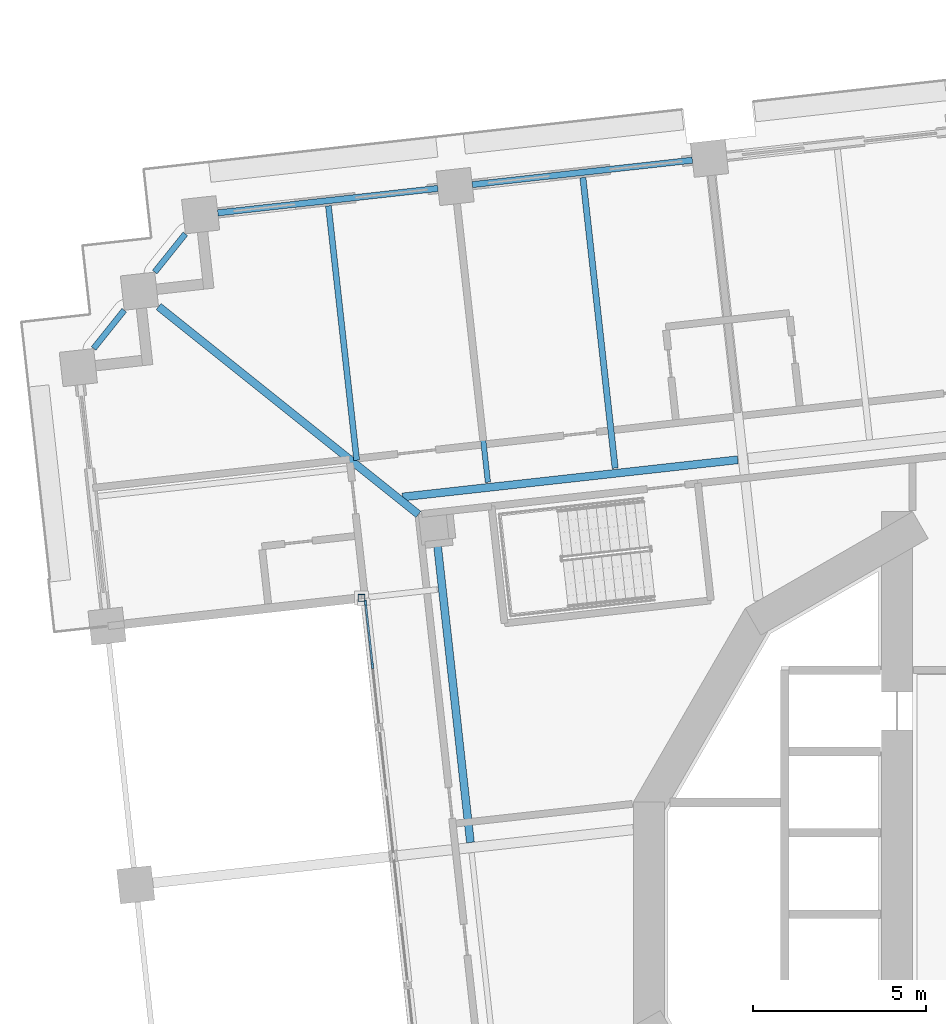
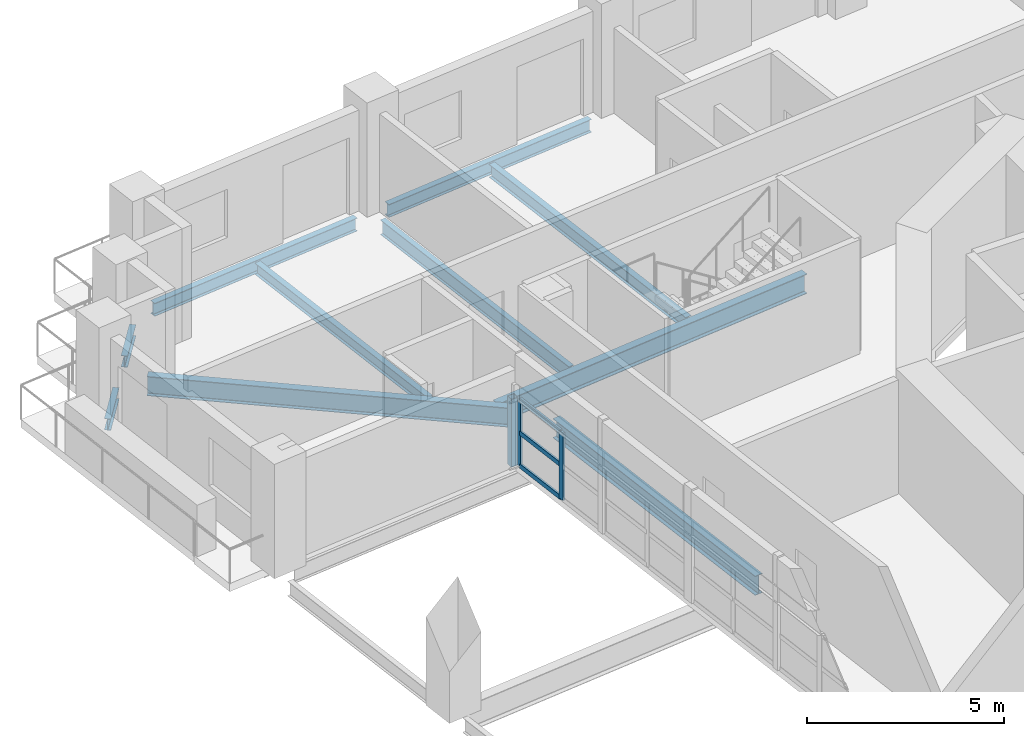
# One storey, part 4 of 21: 10 beams, 6 members, 1 element without a shape of its own.
"""IFC4 building model written with IfcOpenShell, lengths in metres."""

from ifc_helpers import new_model, si_unit, direction, frame, origin, origin_2d, place, context, subcontext, project, spatial, rectangle, hollow_rectangle, i_section, extrude, material, material_profile, profile_set, type_object, element, aggregate, save


model = new_model("IFC4")

# Units and contexts
model_context = context("Model", 3, precision=1e-05, world=origin(), true_north=direction((0.0, 1.0)))
body_context = subcontext(model_context, "Body", "Model", "MODEL_VIEW")
ifc_project = project(units=[si_unit("LENGTHUNIT", "METRE"), si_unit("AREAUNIT", "SQUARE_METRE"), si_unit("VOLUMEUNIT", "CUBIC_METRE"), si_unit("PLANEANGLEUNIT", "RADIAN"), si_unit("MASSUNIT", "GRAM", prefix="KILO")], contexts=[model_context])

# Site, building, storey
site_placement = place(None, origin())
site = spatial("IfcSite", under=ifc_project, at=site_placement, CompositionType="ELEMENT")
building_placement = place(site_placement, origin())
building = spatial("IfcBuilding", under=site, at=building_placement, Name="Cantera Rosa Tower", CompositionType="ELEMENT")
storey_placement = place(building_placement, frame((0.0, 0.0, 72.89990234375)))
storey = spatial("IfcBuildingStorey", under=building, at=storey_placement, Name="L15", CompositionType="ELEMENT", Elevation=72.89990234375)

# Curtain wall, members
ifc_material_1 = material(Name="Aluminium frame with clear glass", Category="aluminium")
curtain_wall_type = type_object("IfcCurtainWallType", Name="CW1 TERRACE POCKET GLAZING", PredefinedType="NOTDEFINED", material=ifc_material_1)
curtain_wall_placement = place(storey_placement, origin())
curtain_wall = element("IfcCurtainWall", 1, at=curtain_wall_placement, inside=storey, type_object=curtain_wall_type, Name="CW1 CW1", PredefinedType="NOTDEFINED")
ifc_material_2 = material(Name="Anodised bronze aluminium", Category="aluminium")
ifc_material_profile_1 = material_profile(ifc_material_2, rectangle(XDim=0.06005859375, YDim=0.179931640625, at=origin_2d()), Name="CW-MULLION 60x180 POCKET")
ifc_profile_set_1 = profile_set([ifc_material_profile_1], Name="Anodised bronze aluminium")
member_type_1 = type_object("IfcMemberType", Name="CW-MULLION 60x180 POCKET", PredefinedType="MULLION", material=ifc_profile_set_1)
member_1_placement = place(storey_placement, frame((-19.81298828125, 8.994140625, 0.0), z_axis=(0.0, 0.0, 1.0), x_axis=(0.993896946417, 0.110312555508, 0.0)))
member_1 = element("IfcMember", 2, at=member_1_placement, type_object=member_type_1, Name="CW1 mullion 1", PredefinedType="MULLION", context=body_context, shape_type="SweptSolid", body=[
    extrude(rectangle(XDim=0.06005859375, YDim=0.179931640625, at=origin_2d()), origin(), (0.0, 0.0, 1.0), 2.10400390625),
])
member_2_placement = place(storey_placement, frame((-19.612548828125, 7.1865234375, 0.0), z_axis=(0.0, 0.0, 1.0), x_axis=(0.993896946417, 0.110312555508, 0.0)))
member_2 = element("IfcMember", 3, at=member_2_placement, type_object=member_type_1, Name="CW1 mullion 2", PredefinedType="MULLION", context=body_context, shape_type="SweptSolid", body=[
    extrude(rectangle(XDim=0.06005859375, YDim=0.179931640625, at=origin_2d()), origin(), (0.0, 0.0, 1.0), 2.10400390625),
])
ifc_material_3 = material(Name="Anodised bronze aluminium", Category="aluminium")
ifc_material_profile_2 = material_profile(ifc_material_3, rectangle(XDim=0.06005859375, YDim=0.139892578125, at=origin_2d()), Name="CW-TRANSOM 60x140 POCKET")
ifc_profile_set_2 = profile_set([ifc_material_profile_2], Name="Anodised bronze aluminium")
member_type_2 = type_object("IfcMemberType", Name="CW-TRANSOM 60x140 POCKET", PredefinedType="USERDEFINED", material=ifc_profile_set_2)
member_3_placement = place(storey_placement, frame((-19.809814453125, 8.96435546875, 0.030029296875), z_axis=(0.110355348566, -0.993892195886, 0.0), x_axis=(0.993892195886, 0.110355348566, 0.0)))
member_3 = element("IfcMember", 4, at=member_3_placement, type_object=member_type_2, Name="CW1 transom 1.1", ObjectType="TRANSOM", PredefinedType="USERDEFINED", context=body_context, shape_type="SweptSolid", body=[
    extrude(rectangle(XDim=0.06005859375, YDim=0.139892578125, at=origin_2d()), origin(), (0.0, 0.0, 1.0), 1.7587890625),
])
member_4_placement = place(storey_placement, frame((-19.809814453125, 8.96435546875, 1.052001953125), z_axis=(0.110355348566, -0.993892195886, 0.0), x_axis=(0.993892195886, 0.110355348566, 0.0)))
member_4 = element("IfcMember", 5, at=member_4_placement, type_object=member_type_2, Name="CW1 transom 1.2", ObjectType="TRANSOM", PredefinedType="USERDEFINED", context=body_context, shape_type="SweptSolid", body=[
    extrude(rectangle(XDim=0.06005859375, YDim=0.139892578125, at=origin_2d()), origin(), (0.0, 0.0, 1.0), 1.7587890625),
])
member_5_placement = place(storey_placement, frame((-19.809814453125, 8.96435546875, 2.07421875), z_axis=(0.110355348566, -0.993892195886, 0.0), x_axis=(0.993892195886, 0.110355348566, 0.0)))
member_5 = element("IfcMember", 6, at=member_5_placement, type_object=member_type_2, Name="CW1 transom 1.3", ObjectType="TRANSOM", PredefinedType="USERDEFINED", context=body_context, shape_type="SweptSolid", body=[
    extrude(rectangle(XDim=0.06005859375, YDim=0.139892578125, at=origin_2d()), origin(), (0.0, 0.0, 1.0), 1.7587890625),
])
aggregate(curtain_wall, [member_1, member_2, member_3, member_4, member_5])

# Member
ifc_material_4 = material(Name="Steel ASTM A992 (Fy 345 MPa)", Category="steel")
ifc_material_profile_3 = material_profile(ifc_material_4, hollow_rectangle(XDim=0.199951171875, YDim=0.199951171875, WallThickness=0.010009765625, at=origin_2d()), Name="LINTEL POST RHS 200x200x10")
ifc_profile_set_3 = profile_set([ifc_material_profile_3], Name="Steel ASTM A992 (Fy 345 MPa)")
member_type_3 = type_object("IfcMemberType", Name="LINTEL POST RHS 200x200x10", PredefinedType="USERDEFINED", material=ifc_profile_set_3)
member_6_placement = place(storey_placement, frame((-19.9296875, 9.13720703125, 0.0), z_axis=(0.0, 0.0, 1.0), x_axis=(1.0, 0.0, 0.0)))
element("IfcMember", 7, at=member_6_placement, inside=storey, type_object=member_type_3, Name="LINTEL POST L15-1", ObjectType="LINTEL POST", PredefinedType="USERDEFINED", context=body_context, shape_type="SweptSolid", body=[
    extrude(hollow_rectangle(XDim=0.199951171875, YDim=0.199951171875, WallThickness=0.010009765625, at=origin_2d()), origin(), (0.0, 0.0, 1.0), 2.106201171875),
])

# Beams
ifc_material_5 = material(Name="Steel ASTM A992 (Fy 345 MPa)", Category="steel")
ifc_material_profile_4 = material_profile(ifc_material_5, i_section(OverallWidth=0.154052734375, OverallDepth=0.4599609375, WebThickness=0.009033203125, FlangeThickness=0.015380859375, FilletRadius=0.01025390625, at=origin_2d()), Name="W460X68")
ifc_profile_set_4 = profile_set([ifc_material_profile_4], Name="Steel ASTM A992 (Fy 345 MPa)")
beam_type_1 = type_object("IfcBeamType", Name="STEEL BEAM W460X68", PredefinedType="BEAM", material=ifc_profile_set_4)
beam_1_placement = place(storey_placement, frame((-17.169677734375, 20.53125, -0.47998046875), z_axis=(0.110315740112, -0.993896592953, 0.0), x_axis=(0.993896592953, 0.110315740112, 0.0)))
element("IfcBeam", 8, at=beam_1_placement, inside=storey, type_object=beam_type_1, Name="G-Z1-09 L15", PredefinedType="BEAM", context=body_context, shape_type="SweptSolid", body=[
    extrude(i_section(OverallWidth=0.154052734375, OverallDepth=0.4599609375, WebThickness=0.009033203125, FlangeThickness=0.015380859375, FilletRadius=0.01025390625, at=origin_2d()), origin(), (0.0, 0.0, 1.0), 8.099853515625),
])
ifc_material_6 = material(Name="Steel ASTM A992 (Fy 345 MPa)", Category="steel")
ifc_material_profile_5 = material_profile(ifc_material_6, i_section(OverallWidth=0.22802734375, OverallDepth=0.60205078125, WebThickness=0.010498046875, FlangeThickness=0.014892578125, FilletRadius=0.0126953125, at=origin_2d()), Name="W610X101")
ifc_profile_set_5 = profile_set([ifc_material_profile_5], Name="Steel ASTM A992 (Fy 345 MPa)")
beam_type_2 = type_object("IfcBeamType", Name="STEEL BEAM W610X101", PredefinedType="BEAM", material=ifc_profile_set_5)
beam_2_placement = place(storey_placement, frame((-25.794677734375, 17.561767578125, -0.55078125), z_axis=(0.78078211406, -0.62480340137, 0.0), x_axis=(0.62480340137, 0.78078211406, 0.0)))
element("IfcBeam", 9, at=beam_2_placement, inside=storey, type_object=beam_type_2, Name="CB-Z1-02 L15", PredefinedType="BEAM", context=body_context, shape_type="SweptSolid", body=[
    extrude(i_section(OverallWidth=0.22802734375, OverallDepth=0.60205078125, WebThickness=0.010498046875, FlangeThickness=0.014892578125, FilletRadius=0.0126953125, at=origin_2d()), origin(), (0.0, 0.0, 1.0), 9.61669921875),
])
beam_3_placement = place(storey_placement, frame((-16.781005859375, 2.071533203125, -0.55078125), z_axis=(-0.110298932846, 0.993898458301, 0.0), x_axis=(-0.993898458301, -0.110298932846, 0.0)))
element("IfcBeam", 10, at=beam_3_placement, inside=storey, type_object=beam_type_2, Name="RB-Z1-12 L15", PredefinedType="BEAM", context=body_context, shape_type="SweptSolid", body=[
    extrude(i_section(OverallWidth=0.22802734375, OverallDepth=0.60205078125, WebThickness=0.010498046875, FlangeThickness=0.014892578125, FilletRadius=0.0126953125, at=origin_2d()), origin(), (0.0, 0.0, 1.0), 8.68994140625),
])
ifc_material_7 = material(Name="Steel ASTM A992 (Fy 345 MPa)", Category="steel")
ifc_material_profile_6 = material_profile(ifc_material_7, i_section(OverallWidth=0.22900390625, OverallDepth=0.612060546875, WebThickness=0.011962890625, FlangeThickness=0.01953125, FilletRadius=0.0126953125, at=origin_2d()), Name="W610X125")
ifc_profile_set_6 = profile_set([ifc_material_profile_6], Name="Steel ASTM A992 (Fy 345 MPa)")
beam_type_3 = type_object("IfcBeamType", Name="STEEL BEAM W610X125", PredefinedType="BEAM", material=ifc_profile_set_6)
beam_4_placement = place(storey_placement, frame((-18.744384765625, 12.055908203125, -0.555908203125), z_axis=(0.993898383269, 0.110299608956, 0.0), x_axis=(-0.110299608956, 0.993898383269, 0.0)))
element("IfcBeam", 11, at=beam_4_placement, inside=storey, type_object=beam_type_3, Name="RB-Z1-01 L15", PredefinedType="BEAM", context=body_context, shape_type="SweptSolid", body=[
    extrude(i_section(OverallWidth=0.22900390625, OverallDepth=0.612060546875, WebThickness=0.011962890625, FlangeThickness=0.01953125, FilletRadius=0.0126953125, at=origin_2d()), origin(), (0.0, 0.0, 1.0), 9.750244140625),
])
ifc_material_8 = material(Name="Steel ASTM A992 (Fy 345 MPa)", Category="steel")
ifc_material_profile_7 = material_profile(ifc_material_8, i_section(OverallWidth=0.1708984375, OverallDepth=0.35595703125, WebThickness=0.00732421875, FlangeThickness=0.01171875, FilletRadius=0.010009765625, at=origin_2d()), Name="W360X51")
ifc_profile_set_7 = profile_set([ifc_material_profile_7], Name="Steel ASTM A992 (Fy 345 MPa)")
beam_type_4 = type_object("IfcBeamType", Name="STEEL JOIST W360X51", PredefinedType="JOIST", material=ifc_profile_set_7)
beam_5_placement = place(storey_placement, frame((-20.8857421875, 20.470947265625, -0.427978515625), z_axis=(0.110326513132, -0.993895397162, 0.0), x_axis=(0.993895397162, 0.110326513132, 0.0)))
element("IfcBeam", 12, at=beam_5_placement, inside=storey, type_object=beam_type_4, Name="B-Z1-11 L15", PredefinedType="JOIST", context=body_context, shape_type="SweptSolid", body=[
    extrude(i_section(OverallWidth=0.1708984375, OverallDepth=0.35595703125, WebThickness=0.00732421875, FlangeThickness=0.01171875, FilletRadius=0.010009765625, at=origin_2d()), origin(), (0.0, 0.0, 1.0), 7.39990234375),
])
ifc_material_9 = material(Name="Steel ASTM A992 (Fy 345 MPa)", Category="steel")
ifc_material_profile_8 = material_profile(ifc_material_9, i_section(OverallWidth=0.177978515625, OverallDepth=0.406005859375, WebThickness=0.0078125, FlangeThickness=0.0126953125, FilletRadius=0.01025390625, at=origin_2d()), Name="W410X60")
ifc_profile_set_8 = profile_set([ifc_material_profile_8], Name="Steel ASTM A992 (Fy 345 MPa)")
beam_type_5 = type_object("IfcBeamType", Name="STEEL JOIST W410X60", PredefinedType="JOIST", material=ifc_profile_set_8)
beam_6_placement = place(storey_placement, frame((-13.53076171875, 21.287353515625, -0.452880859375), z_axis=(0.110311022989, -0.99389711651, 0.0), x_axis=(0.99389711651, 0.110311022989, 0.0)))
element("IfcBeam", 13, at=beam_6_placement, inside=storey, type_object=beam_type_5, Name="B-Z1-10 L15", PredefinedType="JOIST", context=body_context, shape_type="SweptSolid", body=[
    extrude(i_section(OverallWidth=0.177978515625, OverallDepth=0.406005859375, WebThickness=0.0078125, FlangeThickness=0.0126953125, FilletRadius=0.01025390625, at=origin_2d()), origin(), (0.0, 0.0, 1.0), 8.449951171875),
])
ifc_material_10 = material(Name="Steel ASTM A992 (Fy 345 MPa)", Category="steel")
ifc_material_profile_9 = material_profile(ifc_material_10, i_section(OverallWidth=0.1708984375, OverallDepth=0.35595703125, WebThickness=0.00732421875, FlangeThickness=0.01171875, FilletRadius=0.010009765625, at=origin_2d()), Name="W360X51")
ifc_profile_set_9 = profile_set([ifc_material_profile_9], Name="Steel ASTM A992 (Fy 345 MPa)")
beam_type_6 = type_object("IfcBeamType", Name="STEEL SPANDREL BEAM W360X51", PredefinedType="SPANDREL", material=ifc_profile_set_9)
for number, where, z_axis, x_axis, name in (
    (14, (-25.021484375, 19.659912109375, -0.427978515625), (-0.624758203863, -0.780818280208, 0.0), (0.780818280208, -0.624758203863, 0.0), "EB-Z1-14 L15"),
    (15, (-26.78857421875, 17.451416015625, -0.427978515625), (-0.624758203863, -0.780818280208, 0.0), (0.780818280208, -0.624758203863, 0.0), "EB-Z1-15 L15"),
):
    element("IfcBeam", number, at=place(storey_placement, frame(where, z_axis=z_axis, x_axis=x_axis)), inside=storey, type_object=beam_type_6, Name=name, PredefinedType="SPANDREL", context=body_context, shape_type="SweptSolid", body=[
        extrude(i_section(OverallWidth=0.1708984375, OverallDepth=0.35595703125, WebThickness=0.00732421875, FlangeThickness=0.01171875, FilletRadius=0.010009765625, at=origin_2d()), origin(), (0.0, 0.0, 1.0), 1.414306640625),
    ])
ifc_material_11 = material(Name="Steel ASTM A992 (Fy 345 MPa)", Category="steel")
ifc_material_profile_10 = material_profile(ifc_material_11, i_section(OverallWidth=0.177978515625, OverallDepth=0.406005859375, WebThickness=0.0078125, FlangeThickness=0.0126953125, FilletRadius=0.01025390625, at=origin_2d()), Name="W410X60")
ifc_profile_set_10 = profile_set([ifc_material_profile_10], Name="Steel ASTM A992 (Fy 345 MPa)")
beam_type_7 = type_object("IfcBeamType", Name="STEEL SPANDREL BEAM W410X60", PredefinedType="SPANDREL", material=ifc_profile_set_10)
beam_7_placement = place(storey_placement, frame((-10.366943359375, 21.789306640625, -0.452880859375), z_axis=(-0.993900006422, -0.110284981906, 0.0), x_axis=(0.110284981906, -0.993900006422, 0.0)))
element("IfcBeam", 16, at=beam_7_placement, inside=storey, type_object=beam_type_7, Name="EB-Z1-12 L15", PredefinedType="SPANDREL", context=body_context, shape_type="SweptSolid", body=[
    extrude(i_section(OverallWidth=0.177978515625, OverallDepth=0.406005859375, WebThickness=0.0078125, FlangeThickness=0.0126953125, FilletRadius=0.01025390625, at=origin_2d()), origin(), (0.0, 0.0, 1.0), 6.39990234375),
])
beam_8_placement = place(storey_placement, frame((-17.7216796875, 20.97314453125, -0.452880859375), z_axis=(-0.993896288542, -0.110318482689, 0.0), x_axis=(0.110318482689, -0.993896288542, 0.0)))
element("IfcBeam", 17, at=beam_8_placement, inside=storey, type_object=beam_type_7, Name="EB-Z1-13 L15", PredefinedType="SPANDREL", context=body_context, shape_type="SweptSolid", body=[
    extrude(i_section(OverallWidth=0.177978515625, OverallDepth=0.406005859375, WebThickness=0.0078125, FlangeThickness=0.0126953125, FilletRadius=0.01025390625, at=origin_2d()), origin(), (0.0, 0.0, 1.0), 6.400146484375),
])

save(model, "model.ifc")
